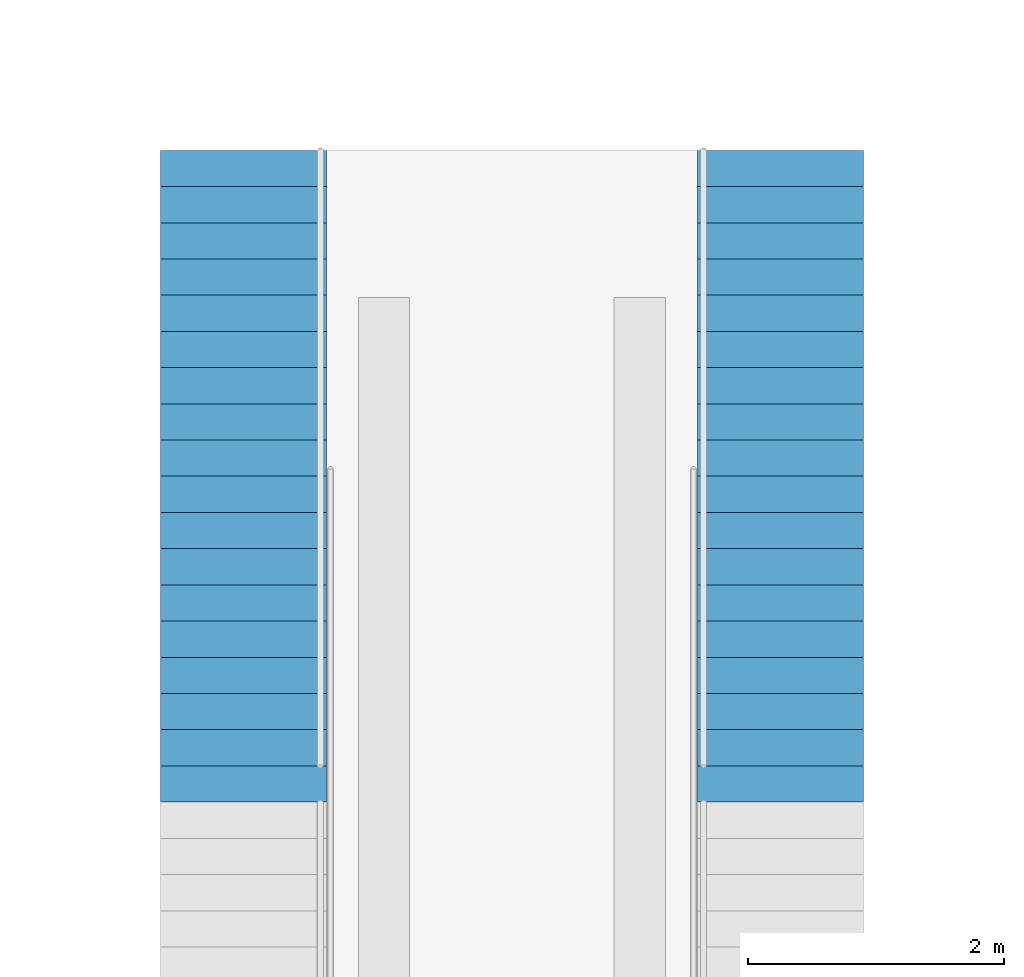
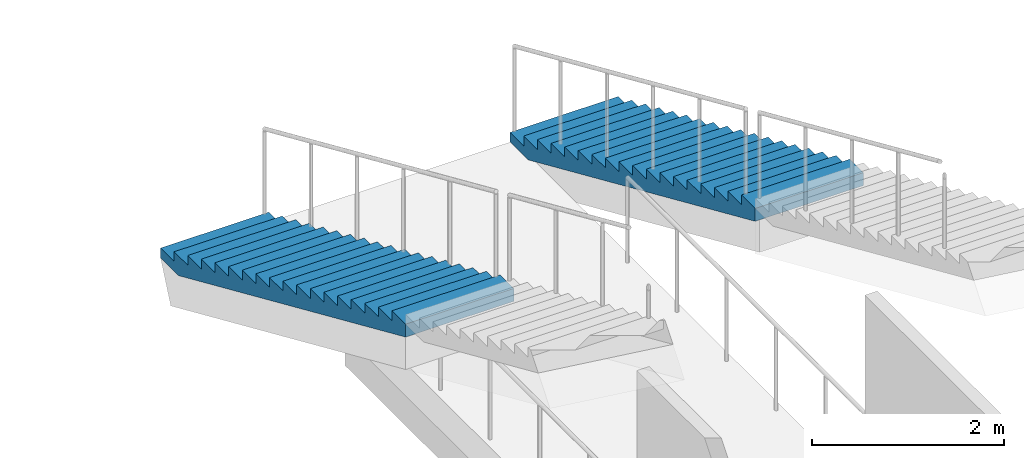
# One storey, part 73 of 175: 2 stair flights, 2 elements without a shape of their own.
"""IFC4 building model written with IfcOpenShell, lengths in metres."""

from ifc_helpers import new_model, si_unit, direction, frame, origin, place, context, subcontext, project, spatial, faceted_brep, material, type_object, element, aggregate, save


model = new_model("IFC4")

# Units and contexts
model_context = context("Model", 3, precision=1e-05, world=origin(), true_north=direction((0.0, 1.0)))
body_context = subcontext(model_context, "Body", "Model", "MODEL_VIEW")
ifc_project = project(units=[si_unit("LENGTHUNIT", "METRE"), si_unit("AREAUNIT", "SQUARE_METRE"), si_unit("VOLUMEUNIT", "CUBIC_METRE"), si_unit("PLANEANGLEUNIT", "RADIAN"), si_unit("MASSUNIT", "GRAM", prefix="KILO")], contexts=[model_context])

# Site, building, storey
site_placement = place(None, origin())
site = spatial("IfcSite", under=ifc_project, at=site_placement, CompositionType="ELEMENT")
building_placement = place(site_placement, origin())
building = spatial("IfcBuilding", under=site, at=building_placement, Name="Ogive Plaza Stadium", CompositionType="ELEMENT")
storey_placement = place(building_placement, origin())
storey = spatial("IfcBuildingStorey", under=building, at=storey_placement, Name="L00", CompositionType="ELEMENT", Elevation=0.0)

# Stair, stair flight
ifc_material_1 = material(Name="Concrete C40/50", Category="concrete")
stair_type = type_object("IfcStairType", Name="Aisle stair", PredefinedType="STRAIGHT_RUN_STAIR", material=ifc_material_1)
stair_1_placement = place(storey_placement, origin())
stair_1 = element("IfcStair", 1, at=stair_1_placement, inside=storey, type_object=stair_type, Name="Aisle stair SA15L", PredefinedType="STRAIGHT_RUN_STAIR")
ifc_material_2 = material(Name="Concrete C40/50", Category="concrete")
stair_flight_type = type_object("IfcStairFlightType", Name="Aisle stair flight", PredefinedType="STRAIGHT", material=ifc_material_2)
stair_flight_1_placement = place(storey_placement, frame((-15.699951171875, -67.64990234375, 0.0), z_axis=(0.0, 0.0, 1.0), x_axis=(0.0, -1.0, 0.0)))
stair_flight_1 = element("IfcStairFlight", 2, at=stair_flight_1_placement, type_object=stair_flight_type, Name="SA15L flight 1", NumberOfRisers=18, NumberOfTreads=17, PredefinedType="STRAIGHT", RiserHeight=0.125, TreadLength=0.283333333, context=body_context, shape_type="Brep", body=[
    faceted_brep([(0.371337890625, -0.64990234375, 0.0), (5.10009765625, -0.64990234375, 2.086181640625), (5.10009765625, -0.64990234375, 2.25), (4.816650390625, -0.64990234375, 2.25), (4.816650390625, -0.64990234375, 2.125), (4.533447265625, -0.64990234375, 2.125), (4.533447265625, -0.64990234375, 2.0), (4.25, -0.64990234375, 2.0), (4.25, -0.64990234375, 1.875), (3.966552734375, -0.64990234375, 1.875), (3.966552734375, -0.64990234375, 1.75), (3.683349609375, -0.64990234375, 1.75), (3.683349609375, -0.64990234375, 1.625), (3.39990234375, -0.64990234375, 1.625), (3.39990234375, -0.64990234375, 1.5), (3.11669921875, -0.64990234375, 1.5), (3.11669921875, -0.64990234375, 1.375), (2.833251953125, -0.64990234375, 1.375), (2.833251953125, -0.64990234375, 1.25), (2.550048828125, -0.64990234375, 1.25), (2.550048828125, -0.64990234375, 1.125), (2.2666015625, -0.64990234375, 1.125), (2.2666015625, -0.64990234375, 1.0), (1.9833984375, -0.64990234375, 1.0), (1.9833984375, -0.64990234375, 0.875), (1.699951171875, -0.64990234375, 0.875), (1.699951171875, -0.64990234375, 0.75), (1.416748046875, -0.64990234375, 0.75), (1.416748046875, -0.64990234375, 0.625), (1.13330078125, -0.64990234375, 0.625), (1.13330078125, -0.64990234375, 0.5), (0.85009765625, -0.64990234375, 0.5), (0.85009765625, -0.64990234375, 0.375), (0.566650390625, -0.64990234375, 0.375), (0.566650390625, -0.64990234375, 0.25), (0.283447265625, -0.64990234375, 0.25), (0.283447265625, -0.64990234375, 0.125), (0.0, -0.64990234375, 0.125), (0.0, -0.64990234375, 0.0), (0.0, 0.64990234375, 0.0), (0.0, 0.64990234375, 0.125), (0.283447265625, 0.64990234375, 0.125), (0.283447265625, 0.64990234375, 0.25), (0.566650390625, 0.64990234375, 0.25), (0.566650390625, 0.64990234375, 0.375), (0.85009765625, 0.64990234375, 0.375), (0.85009765625, 0.64990234375, 0.5), (1.13330078125, 0.64990234375, 0.5), (1.13330078125, 0.64990234375, 0.625), (1.416748046875, 0.64990234375, 0.625), (1.416748046875, 0.64990234375, 0.75), (1.699951171875, 0.64990234375, 0.75), (1.699951171875, 0.64990234375, 0.875), (1.9833984375, 0.64990234375, 0.875), (1.9833984375, 0.64990234375, 1.0), (2.2666015625, 0.64990234375, 1.0), (2.2666015625, 0.64990234375, 1.125), (2.550048828125, 0.64990234375, 1.125), (2.550048828125, 0.64990234375, 1.25), (2.833251953125, 0.64990234375, 1.25), (2.833251953125, 0.64990234375, 1.375), (3.11669921875, 0.64990234375, 1.375), (3.11669921875, 0.64990234375, 1.5), (3.39990234375, 0.64990234375, 1.5), (3.39990234375, 0.64990234375, 1.625), (3.683349609375, 0.64990234375, 1.625), (3.683349609375, 0.64990234375, 1.75), (3.966552734375, 0.64990234375, 1.75), (3.966552734375, 0.64990234375, 1.875), (4.25, 0.64990234375, 1.875), (4.25, 0.64990234375, 2.0), (4.533447265625, 0.64990234375, 2.0), (4.533447265625, 0.64990234375, 2.125), (4.816650390625, 0.64990234375, 2.125), (4.816650390625, 0.64990234375, 2.25), (5.10009765625, 0.64990234375, 2.25), (5.10009765625, 0.64990234375, 2.086181640625), (0.371337890625, 0.64990234375, 0.0), (0.371337890625, -0.324951171875, 0.0), (5.10009765625, -0.324951171875, 2.086181640625), (0.371337890625, 0.0, 0.0), (5.10009765625, 0.0, 2.086181640625), (0.371337890625, 0.324951171875, 0.0), (5.10009765625, 0.324951171875, 2.086181640625), (5.10009765625, -0.324951171875, 2.25), (5.10009765625, 0.0, 2.25), (5.10009765625, 0.324951171875, 2.25), (4.816650390625, -0.324951171875, 2.25), (4.816650390625, 0.0, 2.25), (4.816650390625, 0.324951171875, 2.25), (4.816650390625, -0.324951171875, 2.125), (4.816650390625, 0.0, 2.125), (4.816650390625, 0.324951171875, 2.125), (4.533447265625, -0.324951171875, 2.125), (4.533447265625, 0.0, 2.125), (4.533447265625, 0.324951171875, 2.125), (4.533447265625, -0.324951171875, 2.0), (4.533447265625, 0.0, 2.0), (4.533447265625, 0.324951171875, 2.0), (4.25, -0.324951171875, 2.0), (4.25, 0.0, 2.0), (4.25, 0.324951171875, 2.0), (4.25, -0.324951171875, 1.875), (4.25, 0.0, 1.875), (4.25, 0.324951171875, 1.875), (3.966552734375, -0.324951171875, 1.875), (3.966552734375, 0.0, 1.875), (3.966552734375, 0.324951171875, 1.875), (3.966552734375, -0.324951171875, 1.75), (3.966552734375, 0.0, 1.75), (3.966552734375, 0.324951171875, 1.75), (3.683349609375, -0.324951171875, 1.75), (3.683349609375, 0.0, 1.75), (3.683349609375, 0.324951171875, 1.75), (3.683349609375, -0.324951171875, 1.625), (3.683349609375, 0.0, 1.625), (3.683349609375, 0.324951171875, 1.625), (3.39990234375, -0.324951171875, 1.625), (3.39990234375, 0.0, 1.625), (3.39990234375, 0.324951171875, 1.625), (3.39990234375, -0.324951171875, 1.5), (3.39990234375, 0.0, 1.5), (3.39990234375, 0.324951171875, 1.5), (3.11669921875, -0.324951171875, 1.5), (3.11669921875, 0.0, 1.5), (3.11669921875, 0.324951171875, 1.5), (3.11669921875, -0.324951171875, 1.375), (3.11669921875, 0.0, 1.375), (3.11669921875, 0.324951171875, 1.375), (2.833251953125, -0.324951171875, 1.375), (2.833251953125, 0.0, 1.375), (2.833251953125, 0.324951171875, 1.375), (2.833251953125, -0.324951171875, 1.25), (2.833251953125, 0.0, 1.25), (2.833251953125, 0.324951171875, 1.25), (2.550048828125, -0.324951171875, 1.25), (2.550048828125, 0.0, 1.25), (2.550048828125, 0.324951171875, 1.25), (2.550048828125, -0.324951171875, 1.125), (2.550048828125, 0.0, 1.125), (2.550048828125, 0.324951171875, 1.125), (2.2666015625, -0.324951171875, 1.125), (2.2666015625, 0.0, 1.125), (2.2666015625, 0.324951171875, 1.125), (2.2666015625, -0.324951171875, 1.0), (2.2666015625, 0.0, 1.0), (2.2666015625, 0.324951171875, 1.0), (1.9833984375, -0.324951171875, 1.0), (1.9833984375, 0.0, 1.0), (1.9833984375, 0.324951171875, 1.0), (1.9833984375, -0.324951171875, 0.875), (1.9833984375, 0.0, 0.875), (1.9833984375, 0.324951171875, 0.875), (1.699951171875, -0.324951171875, 0.875), (1.699951171875, 0.0, 0.875), (1.699951171875, 0.324951171875, 0.875), (1.699951171875, -0.324951171875, 0.75), (1.699951171875, 0.0, 0.75), (1.699951171875, 0.324951171875, 0.75), (1.416748046875, -0.324951171875, 0.75), (1.416748046875, 0.0, 0.75), (1.416748046875, 0.324951171875, 0.75), (1.416748046875, -0.324951171875, 0.625), (1.416748046875, 0.0, 0.625), (1.416748046875, 0.324951171875, 0.625), (1.13330078125, -0.324951171875, 0.625), (1.13330078125, 0.0, 0.625), (1.13330078125, 0.324951171875, 0.625), (1.13330078125, -0.324951171875, 0.5), (1.13330078125, 0.0, 0.5), (1.13330078125, 0.324951171875, 0.5), (0.85009765625, -0.324951171875, 0.5), (0.85009765625, 0.0, 0.5), (0.85009765625, 0.324951171875, 0.5), (0.85009765625, -0.324951171875, 0.375), (0.85009765625, 0.0, 0.375), (0.85009765625, 0.324951171875, 0.375), (0.566650390625, -0.324951171875, 0.375), (0.566650390625, 0.0, 0.375), (0.566650390625, 0.324951171875, 0.375), (0.566650390625, -0.324951171875, 0.25), (0.566650390625, 0.0, 0.25), (0.566650390625, 0.324951171875, 0.25), (0.283447265625, -0.324951171875, 0.25), (0.283447265625, 0.0, 0.25), (0.283447265625, 0.324951171875, 0.25), (0.283447265625, -0.324951171875, 0.125), (0.283447265625, 0.0, 0.125), (0.283447265625, 0.324951171875, 0.125), (0.0, -0.324951171875, 0.125), (0.0, 0.0, 0.125), (0.0, 0.324951171875, 0.125), (0.0, -0.324951171875, 0.0), (0.0, 0.0, 0.0), (0.0, 0.324951171875, 0.0)], [[[0, 1, 2, 3, 4, 5, 6, 7, 8, 9, 10, 11, 12, 13, 14, 15, 16, 17, 18, 19, 20, 21, 22, 23, 24, 25, 26, 27, 28, 29, 30, 31, 32, 33, 34, 35, 36, 37, 38]], [[39, 40, 41, 42, 43, 44, 45, 46, 47, 48, 49, 50, 51, 52, 53, 54, 55, 56, 57, 58, 59, 60, 61, 62, 63, 64, 65, 66, 67, 68, 69, 70, 71, 72, 73, 74, 75, 76, 77]], [[0, 78, 79, 1]], [[78, 80, 81, 79]], [[80, 82, 83, 81]], [[82, 77, 76, 83]], [[1, 79, 84, 2]], [[79, 81, 85, 84]], [[81, 83, 86, 85]], [[83, 76, 75, 86]], [[2, 84, 87, 3]], [[84, 85, 88, 87]], [[85, 86, 89, 88]], [[86, 75, 74, 89]], [[3, 87, 90, 4]], [[87, 88, 91, 90]], [[88, 89, 92, 91]], [[89, 74, 73, 92]], [[4, 90, 93, 5]], [[90, 91, 94, 93]], [[91, 92, 95, 94]], [[92, 73, 72, 95]], [[5, 93, 96, 6]], [[93, 94, 97, 96]], [[94, 95, 98, 97]], [[95, 72, 71, 98]], [[6, 96, 99, 7]], [[96, 97, 100, 99]], [[97, 98, 101, 100]], [[98, 71, 70, 101]], [[7, 99, 102, 8]], [[99, 100, 103, 102]], [[100, 101, 104, 103]], [[101, 70, 69, 104]], [[8, 102, 105, 9]], [[102, 103, 106, 105]], [[103, 104, 107, 106]], [[104, 69, 68, 107]], [[9, 105, 108, 10]], [[105, 106, 109, 108]], [[106, 107, 110, 109]], [[107, 68, 67, 110]], [[10, 108, 111, 11]], [[108, 109, 112, 111]], [[109, 110, 113, 112]], [[110, 67, 66, 113]], [[11, 111, 114, 12]], [[111, 112, 115, 114]], [[112, 113, 116, 115]], [[113, 66, 65, 116]], [[12, 114, 117, 13]], [[114, 115, 118, 117]], [[115, 116, 119, 118]], [[116, 65, 64, 119]], [[13, 117, 120, 14]], [[117, 118, 121, 120]], [[118, 119, 122, 121]], [[119, 64, 63, 122]], [[14, 120, 123, 15]], [[120, 121, 124, 123]], [[121, 122, 125, 124]], [[122, 63, 62, 125]], [[15, 123, 126, 16]], [[123, 124, 127, 126]], [[124, 125, 128, 127]], [[125, 62, 61, 128]], [[16, 126, 129, 17]], [[126, 127, 130, 129]], [[127, 128, 131, 130]], [[128, 61, 60, 131]], [[17, 129, 132, 18]], [[129, 130, 133, 132]], [[130, 131, 134, 133]], [[131, 60, 59, 134]], [[18, 132, 135, 19]], [[132, 133, 136, 135]], [[133, 134, 137, 136]], [[134, 59, 58, 137]], [[19, 135, 138, 20]], [[135, 136, 139, 138]], [[136, 137, 140, 139]], [[137, 58, 57, 140]], [[20, 138, 141, 21]], [[138, 139, 142, 141]], [[139, 140, 143, 142]], [[140, 57, 56, 143]], [[21, 141, 144, 22]], [[141, 142, 145, 144]], [[142, 143, 146, 145]], [[143, 56, 55, 146]], [[22, 144, 147, 23]], [[144, 145, 148, 147]], [[145, 146, 149, 148]], [[146, 55, 54, 149]], [[23, 147, 150, 24]], [[147, 148, 151, 150]], [[148, 149, 152, 151]], [[149, 54, 53, 152]], [[24, 150, 153, 25]], [[150, 151, 154, 153]], [[151, 152, 155, 154]], [[152, 53, 52, 155]], [[25, 153, 156, 26]], [[153, 154, 157, 156]], [[154, 155, 158, 157]], [[155, 52, 51, 158]], [[26, 156, 159, 27]], [[156, 157, 160, 159]], [[157, 158, 161, 160]], [[158, 51, 50, 161]], [[27, 159, 162, 28]], [[159, 160, 163, 162]], [[160, 161, 164, 163]], [[161, 50, 49, 164]], [[28, 162, 165, 29]], [[162, 163, 166, 165]], [[163, 164, 167, 166]], [[164, 49, 48, 167]], [[29, 165, 168, 30]], [[165, 166, 169, 168]], [[166, 167, 170, 169]], [[167, 48, 47, 170]], [[30, 168, 171, 31]], [[168, 169, 172, 171]], [[169, 170, 173, 172]], [[170, 47, 46, 173]], [[31, 171, 174, 32]], [[171, 172, 175, 174]], [[172, 173, 176, 175]], [[173, 46, 45, 176]], [[32, 174, 177, 33]], [[174, 175, 178, 177]], [[175, 176, 179, 178]], [[176, 45, 44, 179]], [[33, 177, 180, 34]], [[177, 178, 181, 180]], [[178, 179, 182, 181]], [[179, 44, 43, 182]], [[34, 180, 183, 35]], [[180, 181, 184, 183]], [[181, 182, 185, 184]], [[182, 43, 42, 185]], [[35, 183, 186, 36]], [[183, 184, 187, 186]], [[184, 185, 188, 187]], [[185, 42, 41, 188]], [[36, 186, 189, 37]], [[186, 187, 190, 189]], [[187, 188, 191, 190]], [[188, 41, 40, 191]], [[37, 189, 192, 38]], [[189, 190, 193, 192]], [[190, 191, 194, 193]], [[191, 40, 39, 194]], [[38, 192, 78, 0]], [[192, 193, 80, 78]], [[193, 194, 82, 80]], [[194, 39, 77, 82]]]),
])
aggregate(stair_1, [stair_flight_1])

stair_2_placement = place(storey_placement, origin())
stair_2 = element("IfcStair", 3, at=stair_2_placement, inside=storey, type_object=stair_type, Name="Aisle stair SA15R", PredefinedType="STRAIGHT_RUN_STAIR")
stair_flight_2_placement = place(storey_placement, frame((-11.5, -67.64990234375, 0.0), z_axis=(0.0, 0.0, 1.0), x_axis=(0.0, -1.0, 0.0)))
stair_flight_2 = element("IfcStairFlight", 4, at=stair_flight_2_placement, type_object=stair_flight_type, Name="SA15R flight 1", NumberOfRisers=18, NumberOfTreads=17, PredefinedType="STRAIGHT", RiserHeight=0.125, TreadLength=0.283333333, context=body_context, shape_type="Brep", body=[
    faceted_brep([(0.371337890625, -0.64990234375, 0.0), (5.10009765625, -0.64990234375, 2.086181640625), (5.10009765625, -0.64990234375, 2.25), (4.816650390625, -0.64990234375, 2.25), (4.816650390625, -0.64990234375, 2.125), (4.533447265625, -0.64990234375, 2.125), (4.533447265625, -0.64990234375, 2.0), (4.25, -0.64990234375, 2.0), (4.25, -0.64990234375, 1.875), (3.966552734375, -0.64990234375, 1.875), (3.966552734375, -0.64990234375, 1.75), (3.683349609375, -0.64990234375, 1.75), (3.683349609375, -0.64990234375, 1.625), (3.39990234375, -0.64990234375, 1.625), (3.39990234375, -0.64990234375, 1.5), (3.11669921875, -0.64990234375, 1.5), (3.11669921875, -0.64990234375, 1.375), (2.833251953125, -0.64990234375, 1.375), (2.833251953125, -0.64990234375, 1.25), (2.550048828125, -0.64990234375, 1.25), (2.550048828125, -0.64990234375, 1.125), (2.2666015625, -0.64990234375, 1.125), (2.2666015625, -0.64990234375, 1.0), (1.9833984375, -0.64990234375, 1.0), (1.9833984375, -0.64990234375, 0.875), (1.699951171875, -0.64990234375, 0.875), (1.699951171875, -0.64990234375, 0.75), (1.416748046875, -0.64990234375, 0.75), (1.416748046875, -0.64990234375, 0.625), (1.13330078125, -0.64990234375, 0.625), (1.13330078125, -0.64990234375, 0.5), (0.85009765625, -0.64990234375, 0.5), (0.85009765625, -0.64990234375, 0.375), (0.566650390625, -0.64990234375, 0.375), (0.566650390625, -0.64990234375, 0.25), (0.283447265625, -0.64990234375, 0.25), (0.283447265625, -0.64990234375, 0.125), (0.0, -0.64990234375, 0.125), (0.0, -0.64990234375, 0.0), (0.0, 0.64990234375, 0.0), (0.0, 0.64990234375, 0.125), (0.283447265625, 0.64990234375, 0.125), (0.283447265625, 0.64990234375, 0.25), (0.566650390625, 0.64990234375, 0.25), (0.566650390625, 0.64990234375, 0.375), (0.85009765625, 0.64990234375, 0.375), (0.85009765625, 0.64990234375, 0.5), (1.13330078125, 0.64990234375, 0.5), (1.13330078125, 0.64990234375, 0.625), (1.416748046875, 0.64990234375, 0.625), (1.416748046875, 0.64990234375, 0.75), (1.699951171875, 0.64990234375, 0.75), (1.699951171875, 0.64990234375, 0.875), (1.9833984375, 0.64990234375, 0.875), (1.9833984375, 0.64990234375, 1.0), (2.2666015625, 0.64990234375, 1.0), (2.2666015625, 0.64990234375, 1.125), (2.550048828125, 0.64990234375, 1.125), (2.550048828125, 0.64990234375, 1.25), (2.833251953125, 0.64990234375, 1.25), (2.833251953125, 0.64990234375, 1.375), (3.11669921875, 0.64990234375, 1.375), (3.11669921875, 0.64990234375, 1.5), (3.39990234375, 0.64990234375, 1.5), (3.39990234375, 0.64990234375, 1.625), (3.683349609375, 0.64990234375, 1.625), (3.683349609375, 0.64990234375, 1.75), (3.966552734375, 0.64990234375, 1.75), (3.966552734375, 0.64990234375, 1.875), (4.25, 0.64990234375, 1.875), (4.25, 0.64990234375, 2.0), (4.533447265625, 0.64990234375, 2.0), (4.533447265625, 0.64990234375, 2.125), (4.816650390625, 0.64990234375, 2.125), (4.816650390625, 0.64990234375, 2.25), (5.10009765625, 0.64990234375, 2.25), (5.10009765625, 0.64990234375, 2.086181640625), (0.371337890625, 0.64990234375, 0.0), (0.371337890625, -0.324951171875, 0.0), (5.10009765625, -0.324951171875, 2.086181640625), (0.371337890625, 0.0, 0.0), (5.10009765625, 0.0, 2.086181640625), (0.371337890625, 0.324951171875, 0.0), (5.10009765625, 0.324951171875, 2.086181640625), (5.10009765625, -0.324951171875, 2.25), (5.10009765625, 0.0, 2.25), (5.10009765625, 0.324951171875, 2.25), (4.816650390625, -0.324951171875, 2.25), (4.816650390625, 0.0, 2.25), (4.816650390625, 0.324951171875, 2.25), (4.816650390625, -0.324951171875, 2.125), (4.816650390625, 0.0, 2.125), (4.816650390625, 0.324951171875, 2.125), (4.533447265625, -0.324951171875, 2.125), (4.533447265625, 0.0, 2.125), (4.533447265625, 0.324951171875, 2.125), (4.533447265625, -0.324951171875, 2.0), (4.533447265625, 0.0, 2.0), (4.533447265625, 0.324951171875, 2.0), (4.25, -0.324951171875, 2.0), (4.25, 0.0, 2.0), (4.25, 0.324951171875, 2.0), (4.25, -0.324951171875, 1.875), (4.25, 0.0, 1.875), (4.25, 0.324951171875, 1.875), (3.966552734375, -0.324951171875, 1.875), (3.966552734375, 0.0, 1.875), (3.966552734375, 0.324951171875, 1.875), (3.966552734375, -0.324951171875, 1.75), (3.966552734375, 0.0, 1.75), (3.966552734375, 0.324951171875, 1.75), (3.683349609375, -0.324951171875, 1.75), (3.683349609375, 0.0, 1.75), (3.683349609375, 0.324951171875, 1.75), (3.683349609375, -0.324951171875, 1.625), (3.683349609375, 0.0, 1.625), (3.683349609375, 0.324951171875, 1.625), (3.39990234375, -0.324951171875, 1.625), (3.39990234375, 0.0, 1.625), (3.39990234375, 0.324951171875, 1.625), (3.39990234375, -0.324951171875, 1.5), (3.39990234375, 0.0, 1.5), (3.39990234375, 0.324951171875, 1.5), (3.11669921875, -0.324951171875, 1.5), (3.11669921875, 0.0, 1.5), (3.11669921875, 0.324951171875, 1.5), (3.11669921875, -0.324951171875, 1.375), (3.11669921875, 0.0, 1.375), (3.11669921875, 0.324951171875, 1.375), (2.833251953125, -0.324951171875, 1.375), (2.833251953125, 0.0, 1.375), (2.833251953125, 0.324951171875, 1.375), (2.833251953125, -0.324951171875, 1.25), (2.833251953125, 0.0, 1.25), (2.833251953125, 0.324951171875, 1.25), (2.550048828125, -0.324951171875, 1.25), (2.550048828125, 0.0, 1.25), (2.550048828125, 0.324951171875, 1.25), (2.550048828125, -0.324951171875, 1.125), (2.550048828125, 0.0, 1.125), (2.550048828125, 0.324951171875, 1.125), (2.2666015625, -0.324951171875, 1.125), (2.2666015625, 0.0, 1.125), (2.2666015625, 0.324951171875, 1.125), (2.2666015625, -0.324951171875, 1.0), (2.2666015625, 0.0, 1.0), (2.2666015625, 0.324951171875, 1.0), (1.9833984375, -0.324951171875, 1.0), (1.9833984375, 0.0, 1.0), (1.9833984375, 0.324951171875, 1.0), (1.9833984375, -0.324951171875, 0.875), (1.9833984375, 0.0, 0.875), (1.9833984375, 0.324951171875, 0.875), (1.699951171875, -0.324951171875, 0.875), (1.699951171875, 0.0, 0.875), (1.699951171875, 0.324951171875, 0.875), (1.699951171875, -0.324951171875, 0.75), (1.699951171875, 0.0, 0.75), (1.699951171875, 0.324951171875, 0.75), (1.416748046875, -0.324951171875, 0.75), (1.416748046875, 0.0, 0.75), (1.416748046875, 0.324951171875, 0.75), (1.416748046875, -0.324951171875, 0.625), (1.416748046875, 0.0, 0.625), (1.416748046875, 0.324951171875, 0.625), (1.13330078125, -0.324951171875, 0.625), (1.13330078125, 0.0, 0.625), (1.13330078125, 0.324951171875, 0.625), (1.13330078125, -0.324951171875, 0.5), (1.13330078125, 0.0, 0.5), (1.13330078125, 0.324951171875, 0.5), (0.85009765625, -0.324951171875, 0.5), (0.85009765625, 0.0, 0.5), (0.85009765625, 0.324951171875, 0.5), (0.85009765625, -0.324951171875, 0.375), (0.85009765625, 0.0, 0.375), (0.85009765625, 0.324951171875, 0.375), (0.566650390625, -0.324951171875, 0.375), (0.566650390625, 0.0, 0.375), (0.566650390625, 0.324951171875, 0.375), (0.566650390625, -0.324951171875, 0.25), (0.566650390625, 0.0, 0.25), (0.566650390625, 0.324951171875, 0.25), (0.283447265625, -0.324951171875, 0.25), (0.283447265625, 0.0, 0.25), (0.283447265625, 0.324951171875, 0.25), (0.283447265625, -0.324951171875, 0.125), (0.283447265625, 0.0, 0.125), (0.283447265625, 0.324951171875, 0.125), (0.0, -0.324951171875, 0.125), (0.0, 0.0, 0.125), (0.0, 0.324951171875, 0.125), (0.0, -0.324951171875, 0.0), (0.0, 0.0, 0.0), (0.0, 0.324951171875, 0.0)], [[[0, 1, 2, 3, 4, 5, 6, 7, 8, 9, 10, 11, 12, 13, 14, 15, 16, 17, 18, 19, 20, 21, 22, 23, 24, 25, 26, 27, 28, 29, 30, 31, 32, 33, 34, 35, 36, 37, 38]], [[39, 40, 41, 42, 43, 44, 45, 46, 47, 48, 49, 50, 51, 52, 53, 54, 55, 56, 57, 58, 59, 60, 61, 62, 63, 64, 65, 66, 67, 68, 69, 70, 71, 72, 73, 74, 75, 76, 77]], [[0, 78, 79, 1]], [[78, 80, 81, 79]], [[80, 82, 83, 81]], [[82, 77, 76, 83]], [[1, 79, 84, 2]], [[79, 81, 85, 84]], [[81, 83, 86, 85]], [[83, 76, 75, 86]], [[2, 84, 87, 3]], [[84, 85, 88, 87]], [[85, 86, 89, 88]], [[86, 75, 74, 89]], [[3, 87, 90, 4]], [[87, 88, 91, 90]], [[88, 89, 92, 91]], [[89, 74, 73, 92]], [[4, 90, 93, 5]], [[90, 91, 94, 93]], [[91, 92, 95, 94]], [[92, 73, 72, 95]], [[5, 93, 96, 6]], [[93, 94, 97, 96]], [[94, 95, 98, 97]], [[95, 72, 71, 98]], [[6, 96, 99, 7]], [[96, 97, 100, 99]], [[97, 98, 101, 100]], [[98, 71, 70, 101]], [[7, 99, 102, 8]], [[99, 100, 103, 102]], [[100, 101, 104, 103]], [[101, 70, 69, 104]], [[8, 102, 105, 9]], [[102, 103, 106, 105]], [[103, 104, 107, 106]], [[104, 69, 68, 107]], [[9, 105, 108, 10]], [[105, 106, 109, 108]], [[106, 107, 110, 109]], [[107, 68, 67, 110]], [[10, 108, 111, 11]], [[108, 109, 112, 111]], [[109, 110, 113, 112]], [[110, 67, 66, 113]], [[11, 111, 114, 12]], [[111, 112, 115, 114]], [[112, 113, 116, 115]], [[113, 66, 65, 116]], [[12, 114, 117, 13]], [[114, 115, 118, 117]], [[115, 116, 119, 118]], [[116, 65, 64, 119]], [[13, 117, 120, 14]], [[117, 118, 121, 120]], [[118, 119, 122, 121]], [[119, 64, 63, 122]], [[14, 120, 123, 15]], [[120, 121, 124, 123]], [[121, 122, 125, 124]], [[122, 63, 62, 125]], [[15, 123, 126, 16]], [[123, 124, 127, 126]], [[124, 125, 128, 127]], [[125, 62, 61, 128]], [[16, 126, 129, 17]], [[126, 127, 130, 129]], [[127, 128, 131, 130]], [[128, 61, 60, 131]], [[17, 129, 132, 18]], [[129, 130, 133, 132]], [[130, 131, 134, 133]], [[131, 60, 59, 134]], [[18, 132, 135, 19]], [[132, 133, 136, 135]], [[133, 134, 137, 136]], [[134, 59, 58, 137]], [[19, 135, 138, 20]], [[135, 136, 139, 138]], [[136, 137, 140, 139]], [[137, 58, 57, 140]], [[20, 138, 141, 21]], [[138, 139, 142, 141]], [[139, 140, 143, 142]], [[140, 57, 56, 143]], [[21, 141, 144, 22]], [[141, 142, 145, 144]], [[142, 143, 146, 145]], [[143, 56, 55, 146]], [[22, 144, 147, 23]], [[144, 145, 148, 147]], [[145, 146, 149, 148]], [[146, 55, 54, 149]], [[23, 147, 150, 24]], [[147, 148, 151, 150]], [[148, 149, 152, 151]], [[149, 54, 53, 152]], [[24, 150, 153, 25]], [[150, 151, 154, 153]], [[151, 152, 155, 154]], [[152, 53, 52, 155]], [[25, 153, 156, 26]], [[153, 154, 157, 156]], [[154, 155, 158, 157]], [[155, 52, 51, 158]], [[26, 156, 159, 27]], [[156, 157, 160, 159]], [[157, 158, 161, 160]], [[158, 51, 50, 161]], [[27, 159, 162, 28]], [[159, 160, 163, 162]], [[160, 161, 164, 163]], [[161, 50, 49, 164]], [[28, 162, 165, 29]], [[162, 163, 166, 165]], [[163, 164, 167, 166]], [[164, 49, 48, 167]], [[29, 165, 168, 30]], [[165, 166, 169, 168]], [[166, 167, 170, 169]], [[167, 48, 47, 170]], [[30, 168, 171, 31]], [[168, 169, 172, 171]], [[169, 170, 173, 172]], [[170, 47, 46, 173]], [[31, 171, 174, 32]], [[171, 172, 175, 174]], [[172, 173, 176, 175]], [[173, 46, 45, 176]], [[32, 174, 177, 33]], [[174, 175, 178, 177]], [[175, 176, 179, 178]], [[176, 45, 44, 179]], [[33, 177, 180, 34]], [[177, 178, 181, 180]], [[178, 179, 182, 181]], [[179, 44, 43, 182]], [[34, 180, 183, 35]], [[180, 181, 184, 183]], [[181, 182, 185, 184]], [[182, 43, 42, 185]], [[35, 183, 186, 36]], [[183, 184, 187, 186]], [[184, 185, 188, 187]], [[185, 42, 41, 188]], [[36, 186, 189, 37]], [[186, 187, 190, 189]], [[187, 188, 191, 190]], [[188, 41, 40, 191]], [[37, 189, 192, 38]], [[189, 190, 193, 192]], [[190, 191, 194, 193]], [[191, 40, 39, 194]], [[38, 192, 78, 0]], [[192, 193, 80, 78]], [[193, 194, 82, 80]], [[194, 39, 77, 82]]]),
])
aggregate(stair_2, [stair_flight_2])

save(model, "model.ifc")
